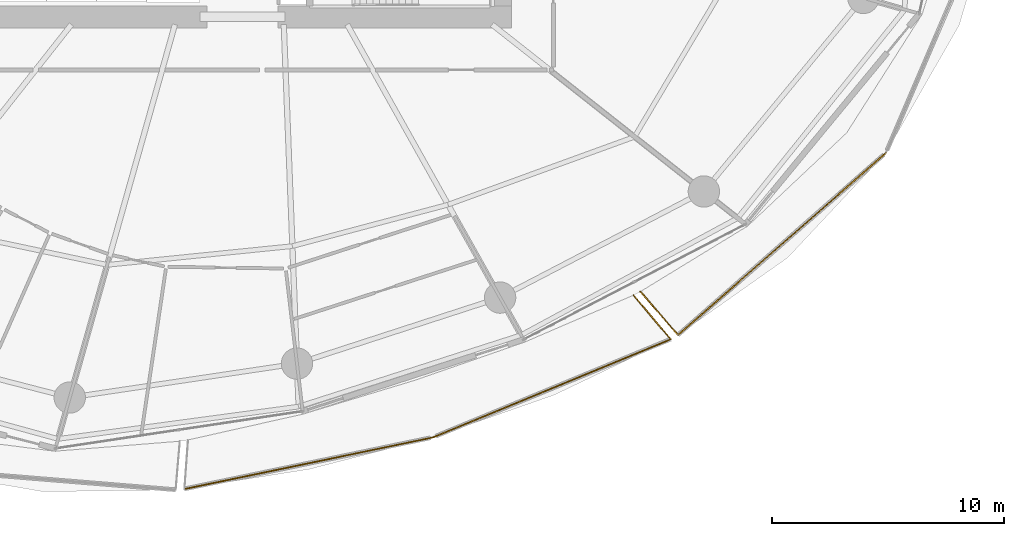
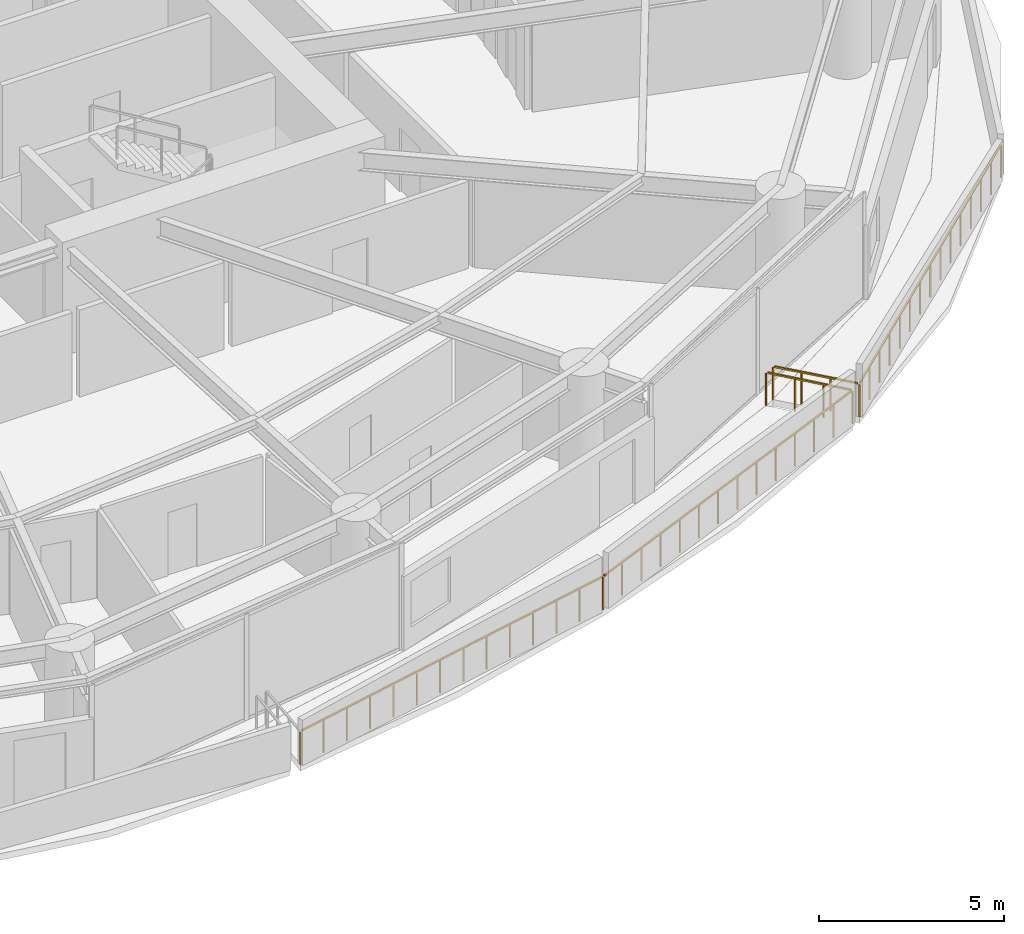
# One storey, part 27 of 31: 5 railings.
"""IFC4 building model written with IfcOpenShell, lengths in metres."""

from ifc_helpers import new_model, si_unit, direction, frame, origin, origin_2d, place, context, subcontext, project, spatial, rectangle, extrude, material, type_object, element, save


model = new_model("IFC4")

# Units and contexts
model_context = context("Model", 3, precision=1e-05, world=origin(), true_north=direction((0.0, 1.0)))
body_context = subcontext(model_context, "Body", "Model", "MODEL_VIEW")
ifc_project = project(units=[si_unit("LENGTHUNIT", "METRE"), si_unit("AREAUNIT", "SQUARE_METRE"), si_unit("VOLUMEUNIT", "CUBIC_METRE"), si_unit("PLANEANGLEUNIT", "RADIAN"), si_unit("MASSUNIT", "GRAM", prefix="KILO")], contexts=[model_context])

# Site, building, storey
site_placement = place(None, origin())
site = spatial("IfcSite", under=ifc_project, at=site_placement, CompositionType="ELEMENT")
building_placement = place(site_placement, origin())
building = spatial("IfcBuilding", under=site, at=building_placement, Name="Kazma Halo Residences", CompositionType="ELEMENT")
storey_placement = place(building_placement, frame((0.0, 0.0, 41.39990234375)))
storey = spatial("IfcBuildingStorey", under=building, at=storey_placement, Name="L09", CompositionType="ELEMENT", Elevation=41.39990234375)

# Railings
ifc_material = material(Name="Aluminium AW-6063 T6 Brushed Cap Rail", Category="aluminium")
railing_type = type_object("IfcRailingType", Name="RLG-BAL-CAP-1120", PredefinedType="BALUSTRADE", material=ifc_material)
railing_1_placement = place(storey_placement, frame((45.9111328125, 13.21044921875, 0.0)))
element("IfcRailing", 1, at=railing_1_placement, inside=storey, type_object=railing_type, Name="L09 SSE wave balcony guard 2", PredefinedType="BALUSTRADE", context=body_context, shape_type="SweptSolid", body=[
    extrude(rectangle(XDim=0.050048828125, YDim=0.050048828125, at=origin_2d()), frame((0.041748046875, 0.008544921875, 1.09521484375), z_axis=(0.979112484699, 0.2033193112, 0.0), x_axis=(-0.2033193112, 0.979112484699, 0.0)), (0.0, 0.0, 1.0), 10.863525390625),
    extrude(rectangle(XDim=0.0400390625, YDim=0.0400390625, at=origin_2d()), origin(), (0.0, 0.0, 1.0), 1.05810546875),
    extrude(rectangle(XDim=0.0400390625, YDim=0.0400390625, at=origin_2d()), frame((0.82470703125, 0.171142578125, 0.0)), (0.0, 0.0, 1.0), 1.05810546875),
    extrude(rectangle(XDim=0.0400390625, YDim=0.0400390625, at=origin_2d()), frame((1.649169921875, 0.342529296875, 0.0)), (0.0, 0.0, 1.0), 1.05810546875),
    extrude(rectangle(XDim=0.0400390625, YDim=0.0400390625, at=origin_2d()), frame((2.473876953125, 0.513671875, 0.0)), (0.0, 0.0, 1.0), 1.05810546875),
    extrude(rectangle(XDim=0.0400390625, YDim=0.0400390625, at=origin_2d()), frame((3.29833984375, 0.68505859375, 0.0)), (0.0, 0.0, 1.0), 1.05810546875),
    extrude(rectangle(XDim=0.0400390625, YDim=0.0400390625, at=origin_2d()), frame((4.123046875, 0.856201171875, 0.0)), (0.0, 0.0, 1.0), 1.05810546875),
    extrude(rectangle(XDim=0.0400390625, YDim=0.0400390625, at=origin_2d()), frame((4.94775390625, 1.02734375, 0.0)), (0.0, 0.0, 1.0), 1.05810546875),
    extrude(rectangle(XDim=0.0400390625, YDim=0.0400390625, at=origin_2d()), frame((5.772216796875, 1.19873046875, 0.0)), (0.0, 0.0, 1.0), 1.05810546875),
    extrude(rectangle(XDim=0.0400390625, YDim=0.0400390625, at=origin_2d()), frame((6.596923828125, 1.369873046875, 0.0)), (0.0, 0.0, 1.0), 1.05810546875),
    extrude(rectangle(XDim=0.0400390625, YDim=0.0400390625, at=origin_2d()), frame((7.421630859375, 1.541015625, 0.0)), (0.0, 0.0, 1.0), 1.05810546875),
    extrude(rectangle(XDim=0.0400390625, YDim=0.0400390625, at=origin_2d()), frame((8.24609375, 1.71240234375, 0.0)), (0.0, 0.0, 1.0), 1.05810546875),
    extrude(rectangle(XDim=0.0400390625, YDim=0.0400390625, at=origin_2d()), frame((9.07080078125, 1.883544921875, 0.0)), (0.0, 0.0, 1.0), 1.05810546875),
    extrude(rectangle(XDim=0.0400390625, YDim=0.0400390625, at=origin_2d()), frame((9.895263671875, 2.054931640625, 0.0)), (0.0, 0.0, 1.0), 1.05810546875),
    extrude(rectangle(XDim=0.0400390625, YDim=0.0400390625, at=origin_2d()), frame((10.719970703125, 2.22607421875, 0.0)), (0.0, 0.0, 1.0), 1.05810546875),
])
railing_2_placement = place(storey_placement, frame((56.631103515625, 15.4365234375, 0.0)))
element("IfcRailing", 2, at=railing_2_placement, inside=storey, type_object=railing_type, Name="L09 SSE wave balcony guard 3", PredefinedType="BALUSTRADE", context=body_context, shape_type="SweptSolid", body=[
    extrude(rectangle(XDim=0.050048828125, YDim=0.050048828125, at=origin_2d()), frame((0.039306640625, 0.016357421875, 1.09521484375), z_axis=(0.924216356135, 0.381869253873, 0.0), x_axis=(-0.381869253873, 0.924216356135, 0.0)), (0.0, 0.0, 1.0), 10.968994140625),
    extrude(rectangle(XDim=0.0400390625, YDim=0.0400390625, at=origin_2d()), origin(), (0.0, 0.0, 1.0), 1.05810546875),
    extrude(rectangle(XDim=0.0400390625, YDim=0.0400390625, at=origin_2d()), frame((0.785888671875, 0.32470703125, 0.0)), (0.0, 0.0, 1.0), 1.05810546875),
    extrude(rectangle(XDim=0.0400390625, YDim=0.0400390625, at=origin_2d()), frame((1.57177734375, 0.6494140625, 0.0)), (0.0, 0.0, 1.0), 1.05810546875),
    extrude(rectangle(XDim=0.0400390625, YDim=0.0400390625, at=origin_2d()), frame((2.357666015625, 0.97412109375, 0.0)), (0.0, 0.0, 1.0), 1.05810546875),
    extrude(rectangle(XDim=0.0400390625, YDim=0.0400390625, at=origin_2d()), frame((3.1435546875, 1.298828125, 0.0)), (0.0, 0.0, 1.0), 1.05810546875),
    extrude(rectangle(XDim=0.0400390625, YDim=0.0400390625, at=origin_2d()), frame((3.929443359375, 1.62353515625, 0.0)), (0.0, 0.0, 1.0), 1.05810546875),
    extrude(rectangle(XDim=0.0400390625, YDim=0.0400390625, at=origin_2d()), frame((4.71533203125, 1.9482421875, 0.0)), (0.0, 0.0, 1.0), 1.05810546875),
    extrude(rectangle(XDim=0.0400390625, YDim=0.0400390625, at=origin_2d()), frame((5.5009765625, 2.27294921875, 0.0)), (0.0, 0.0, 1.0), 1.05810546875),
    extrude(rectangle(XDim=0.0400390625, YDim=0.0400390625, at=origin_2d()), frame((6.286865234375, 2.59765625, 0.0)), (0.0, 0.0, 1.0), 1.05810546875),
    extrude(rectangle(XDim=0.0400390625, YDim=0.0400390625, at=origin_2d()), frame((7.07275390625, 2.92236328125, 0.0)), (0.0, 0.0, 1.0), 1.05810546875),
    extrude(rectangle(XDim=0.0400390625, YDim=0.0400390625, at=origin_2d()), frame((7.858642578125, 3.2470703125, 0.0)), (0.0, 0.0, 1.0), 1.05810546875),
    extrude(rectangle(XDim=0.0400390625, YDim=0.0400390625, at=origin_2d()), frame((8.64453125, 3.57177734375, 0.0)), (0.0, 0.0, 1.0), 1.05810546875),
    extrude(rectangle(XDim=0.0400390625, YDim=0.0400390625, at=origin_2d()), frame((9.430419921875, 3.896484375, 0.0)), (0.0, 0.0, 1.0), 1.05810546875),
    extrude(rectangle(XDim=0.0400390625, YDim=0.0400390625, at=origin_2d()), frame((10.21630859375, 4.22119140625, 0.0)), (0.0, 0.0, 1.0), 1.05810546875),
])
railing_3_placement = place(storey_placement, frame((66.847412109375, 19.65771484375, 0.0)))
element("IfcRailing", 3, at=railing_3_placement, inside=storey, type_object=railing_type, Name="L09 SSE wave balcony guard 4", PredefinedType="BALUSTRADE", context=body_context, shape_type="SweptSolid", body=[
    extrude(rectangle(XDim=0.050048828125, YDim=0.050048828125, at=origin_2d()), frame((-0.02734375, 0.032470703125, 1.09521484375), z_axis=(-0.644820619773, 0.764333937697, 0.0), x_axis=(-0.764333937697, -0.644820619773, 0.0)), (0.0, 0.0, 1.0), 2.394775390625),
    extrude(rectangle(XDim=0.0400390625, YDim=0.0400390625, at=origin_2d()), origin(), (0.0, 0.0, 1.0), 1.05810546875),
    extrude(rectangle(XDim=0.0400390625, YDim=0.0400390625, at=origin_2d()), frame((-0.532958984375, 0.6318359375, 0.0)), (0.0, 0.0, 1.0), 1.05810546875),
    extrude(rectangle(XDim=0.0400390625, YDim=0.0400390625, at=origin_2d()), frame((-1.066162109375, 1.263671875, 0.0)), (0.0, 0.0, 1.0), 1.05810546875),
    extrude(rectangle(XDim=0.0400390625, YDim=0.0400390625, at=origin_2d()), frame((-1.59912109375, 1.8955078125, 0.0)), (0.0, 0.0, 1.0), 1.05810546875),
])
railing_4_placement = place(storey_placement, frame((65.546142578125, 21.70849609375, 0.0)))
element("IfcRailing", 4, at=railing_4_placement, inside=storey, type_object=railing_type, Name="L09 SE wave balcony guard 1", PredefinedType="BALUSTRADE", context=body_context, shape_type="SweptSolid", body=[
    extrude(rectangle(XDim=0.050048828125, YDim=0.050048828125, at=origin_2d()), frame((0.02783203125, -0.0322265625, 1.09521484375), z_axis=(0.654087786706, -0.756418645514, 0.0), x_axis=(0.756418645514, 0.654087786706, 0.0)), (0.0, 0.0, 1.0), 2.38671875),
    extrude(rectangle(XDim=0.0400390625, YDim=0.0400390625, at=origin_2d()), origin(), (0.0, 0.0, 1.0), 1.05810546875),
    extrude(rectangle(XDim=0.0400390625, YDim=0.0400390625, at=origin_2d()), frame((0.538818359375, -0.623291015625, 0.0)), (0.0, 0.0, 1.0), 1.05810546875),
    extrude(rectangle(XDim=0.0400390625, YDim=0.0400390625, at=origin_2d()), frame((1.077880859375, -1.246337890625, 0.0)), (0.0, 0.0, 1.0), 1.05810546875),
    extrude(rectangle(XDim=0.0400390625, YDim=0.0400390625, at=origin_2d()), frame((1.61669921875, -1.86962890625, 0.0)), (0.0, 0.0, 1.0), 1.05810546875),
])
railing_5_placement = place(storey_placement, frame((67.162841796875, 19.8388671875, 0.0)))
element("IfcRailing", 5, at=railing_5_placement, inside=storey, type_object=railing_type, Name="L09 SE wave balcony guard 2", PredefinedType="BALUSTRADE", context=body_context, shape_type="SweptSolid", body=[
    extrude(rectangle(XDim=0.050048828125, YDim=0.050048828125, at=origin_2d()), frame((0.031982421875, 0.028076171875, 1.09521484375), z_axis=(0.752310924401, 0.658808221736, 0.0), x_axis=(-0.658808221736, 0.752310924401, 0.0)), (0.0, 0.0, 1.0), 11.810791015625),
    extrude(rectangle(XDim=0.0400390625, YDim=0.0400390625, at=origin_2d()), origin(), (0.0, 0.0, 1.0), 1.05810546875),
    extrude(rectangle(XDim=0.0400390625, YDim=0.0400390625, at=origin_2d()), frame((0.63916015625, 0.559814453125, 0.0)), (0.0, 0.0, 1.0), 1.05810546875),
    extrude(rectangle(XDim=0.0400390625, YDim=0.0400390625, at=origin_2d()), frame((1.278564453125, 1.11962890625, 0.0)), (0.0, 0.0, 1.0), 1.05810546875),
    extrude(rectangle(XDim=0.0400390625, YDim=0.0400390625, at=origin_2d()), frame((1.917724609375, 1.679443359375, 0.0)), (0.0, 0.0, 1.0), 1.05810546875),
    extrude(rectangle(XDim=0.0400390625, YDim=0.0400390625, at=origin_2d()), frame((2.556884765625, 2.2392578125, 0.0)), (0.0, 0.0, 1.0), 1.05810546875),
    extrude(rectangle(XDim=0.0400390625, YDim=0.0400390625, at=origin_2d()), frame((3.1962890625, 2.799072265625, 0.0)), (0.0, 0.0, 1.0), 1.05810546875),
    extrude(rectangle(XDim=0.0400390625, YDim=0.0400390625, at=origin_2d()), frame((3.83544921875, 3.35888671875, 0.0)), (0.0, 0.0, 1.0), 1.05810546875),
    extrude(rectangle(XDim=0.0400390625, YDim=0.0400390625, at=origin_2d()), frame((4.474609375, 3.91845703125, 0.0)), (0.0, 0.0, 1.0), 1.05810546875),
    extrude(rectangle(XDim=0.0400390625, YDim=0.0400390625, at=origin_2d()), frame((5.114013671875, 4.478271484375, 0.0)), (0.0, 0.0, 1.0), 1.05810546875),
    extrude(rectangle(XDim=0.0400390625, YDim=0.0400390625, at=origin_2d()), frame((5.753173828125, 5.0380859375, 0.0)), (0.0, 0.0, 1.0), 1.05810546875),
    extrude(rectangle(XDim=0.0400390625, YDim=0.0400390625, at=origin_2d()), frame((6.392578125, 5.597900390625, 0.0)), (0.0, 0.0, 1.0), 1.05810546875),
    extrude(rectangle(XDim=0.0400390625, YDim=0.0400390625, at=origin_2d()), frame((7.03173828125, 6.15771484375, 0.0)), (0.0, 0.0, 1.0), 1.05810546875),
    extrude(rectangle(XDim=0.0400390625, YDim=0.0400390625, at=origin_2d()), frame((7.6708984375, 6.717529296875, 0.0)), (0.0, 0.0, 1.0), 1.05810546875),
    extrude(rectangle(XDim=0.0400390625, YDim=0.0400390625, at=origin_2d()), frame((8.310302734375, 7.27734375, 0.0)), (0.0, 0.0, 1.0), 1.05810546875),
    extrude(rectangle(XDim=0.0400390625, YDim=0.0400390625, at=origin_2d()), frame((8.949462890625, 7.837158203125, 0.0)), (0.0, 0.0, 1.0), 1.05810546875),
])

save(model, "model.ifc")
